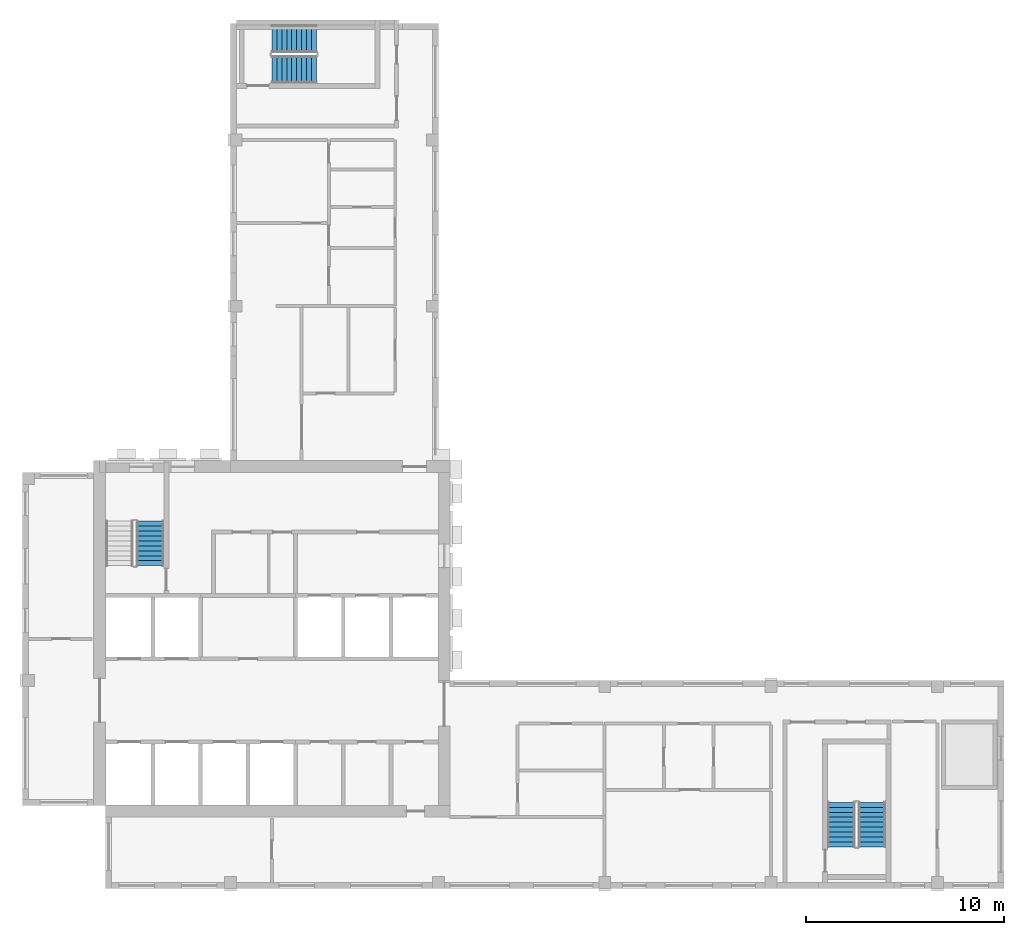
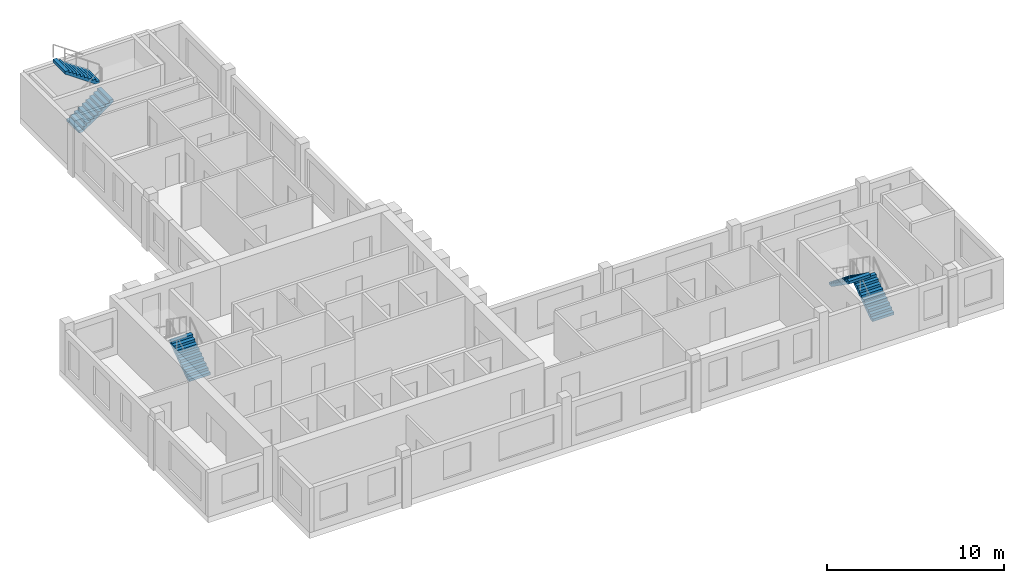
# One storey, part 6 of 10: 5 stair flights, 3 elements without a shape of their own.
"""IFC4 building model written with IfcOpenShell, lengths in metres."""

from ifc_helpers import new_model, si_unit, direction, frame, origin, place, context, subcontext, project, spatial, polyline, outline, extrude, source, transform, mapped, material, type_object, element, aggregate, save


model = new_model("IFC4")

# Units and contexts
model_context = context("Model", 3, precision=1e-05, world=origin(), true_north=direction((0.0, 1.0)))
body_context = subcontext(model_context, "Body", "Model", "MODEL_VIEW")
ifc_project = project(units=[si_unit("LENGTHUNIT", "METRE"), si_unit("AREAUNIT", "SQUARE_METRE"), si_unit("VOLUMEUNIT", "CUBIC_METRE"), si_unit("PLANEANGLEUNIT", "RADIAN"), si_unit("MASSUNIT", "GRAM", prefix="KILO")], contexts=[model_context])

# Site, building, storey
site_placement = place(None, origin())
site = spatial("IfcSite", under=ifc_project, at=site_placement, CompositionType="ELEMENT")
building_placement = place(site_placement, origin())
building = spatial("IfcBuilding", under=site, at=building_placement, Name="Aurelian Terraces", CompositionType="ELEMENT")
storey_placement = place(building_placement, frame((0.0, 0.0, 365.0)))
storey = spatial("IfcBuildingStorey", under=building, at=storey_placement, Name="L87", CompositionType="ELEMENT", Elevation=365.0)

# Stair, stair flight
ifc_material = material(Name="Concrete fc' 40 MPa", Category="concrete")
stair_type = type_object("IfcStairType", Name="Stair 1400", PredefinedType="HALF_TURN_STAIR", material=ifc_material)
stair_1_placement = place(storey_placement, origin())
stair_1 = element("IfcStair", 1, at=stair_1_placement, inside=storey, type_object=stair_type, Name="L87 S1", PredefinedType="HALF_TURN_STAIR")
stair_flight_type = type_object("IfcStairFlightType", Name="Stair flight 1400", PredefinedType="STRAIGHT", material=ifc_material)
shared_shape = source(origin(), body_context, "Body", "SweptSolid", [
    extrude(outline(polyline([(0.0, 0.0), (0.0, 0.175), (0.25, 0.175), (0.25, 0.35), (0.5, 0.35), (0.5, 0.525), (0.75, 0.525), (0.75, 0.7), (1.0, 0.7), (1.0, 0.875), (1.25, 0.875), (1.25, 1.05), (1.5, 1.05), (1.5, 1.225), (1.75, 1.225), (1.75, 1.4), (2.0, 1.4), (2.0, 1.575), (2.25, 1.575), (2.25, 1.75), (2.25, 1.3919), (0.2616, 0.0), (0.0, 0.0)])), frame((0.0, 0.7, 0.0), z_axis=(0.0, -1.0, 0.0), x_axis=(1.0, 0.0, 0.0)), (0.0, 0.0, 1.0), 1.4),
])
stair_flight_1_placement = place(storey_placement, frame((6.45, 16.3, 2e-08), z_axis=(0.0, 0.0, 1.0), x_axis=(0.0, 1.0, 0.0)))
stair_flight_1 = element("IfcStairFlight", 2, at=stair_flight_1_placement, type_object=stair_flight_type, Name="S1 flight 1", NumberOfRisers=10, NumberOfTreads=9, PredefinedType="STRAIGHT", RiserHeight=0.175, TreadLength=0.25, context=body_context, shape_type="MappedRepresentation", body=[
    mapped(shared_shape, transform((0.0, 0.0, 0.0), scale=1.0)),
])
aggregate(stair_1, [stair_flight_1])

# Stair, stair flights
stair_2_placement = place(storey_placement, origin())
stair_2 = element("IfcStair", 3, at=stair_2_placement, inside=storey, type_object=stair_type, Name="L87 S2", PredefinedType="HALF_TURN_STAIR")
stair_flight_2_placement = place(storey_placement, frame((42.9, 2.1, 2e-08), z_axis=(0.0, 0.0, 1.0), x_axis=(0.0, 1.0, 0.0)))
stair_flight_2 = element("IfcStairFlight", 4, at=stair_flight_2_placement, type_object=stair_flight_type, Name="S2 flight 1", NumberOfRisers=10, NumberOfTreads=9, PredefinedType="STRAIGHT", RiserHeight=0.175, TreadLength=0.25, context=body_context, shape_type="MappedRepresentation", body=[
    mapped(shared_shape, transform((0.0, 0.0, 0.0), scale=1.0)),
])
stair_flight_3_placement = place(storey_placement, frame((41.35, 4.35, 1.75000002), z_axis=(0.0, 0.0, 1.0), x_axis=(0.0, -1.0, 0.0)))
stair_flight_3 = element("IfcStairFlight", 5, at=stair_flight_3_placement, type_object=stair_flight_type, Name="S2 flight 2", NumberOfRisers=10, NumberOfTreads=9, PredefinedType="STRAIGHT", RiserHeight=0.175, TreadLength=0.25, context=body_context, shape_type="MappedRepresentation", body=[
    mapped(shared_shape, transform((0.0, 0.0, 0.0), scale=1.0)),
])
aggregate(stair_2, [stair_flight_2, stair_flight_3])

stair_3_placement = place(storey_placement, origin())
stair_3 = element("IfcStair", 6, at=stair_3_placement, inside=storey, type_object=stair_type, Name="L87 S3U", PredefinedType="HALF_TURN_STAIR")
stair_flight_4_placement = place(storey_placement, frame((12.6, 41.35, 2e-08), z_axis=(0.0, 0.0, 1.0), x_axis=(1.0, 0.0, 0.0)))
stair_flight_4 = element("IfcStairFlight", 7, at=stair_flight_4_placement, type_object=stair_flight_type, Name="S3U flight 1", NumberOfRisers=10, NumberOfTreads=9, PredefinedType="STRAIGHT", RiserHeight=0.175, TreadLength=0.25, context=body_context, shape_type="MappedRepresentation", body=[
    mapped(shared_shape, transform((0.0, 0.0, 0.0), scale=1.0)),
])
stair_flight_5_placement = place(storey_placement, frame((14.85, 42.9, 1.75000002), z_axis=(0.0, 0.0, 1.0), x_axis=(-1.0, 0.0, 0.0)))
stair_flight_5 = element("IfcStairFlight", 8, at=stair_flight_5_placement, type_object=stair_flight_type, Name="S3U flight 2", NumberOfRisers=10, NumberOfTreads=9, PredefinedType="STRAIGHT", RiserHeight=0.175, TreadLength=0.25, context=body_context, shape_type="MappedRepresentation", body=[
    mapped(shared_shape, transform((0.0, 0.0, 0.0), scale=1.0)),
])
aggregate(stair_3, [stair_flight_4, stair_flight_5])

save(model, "model.ifc")
